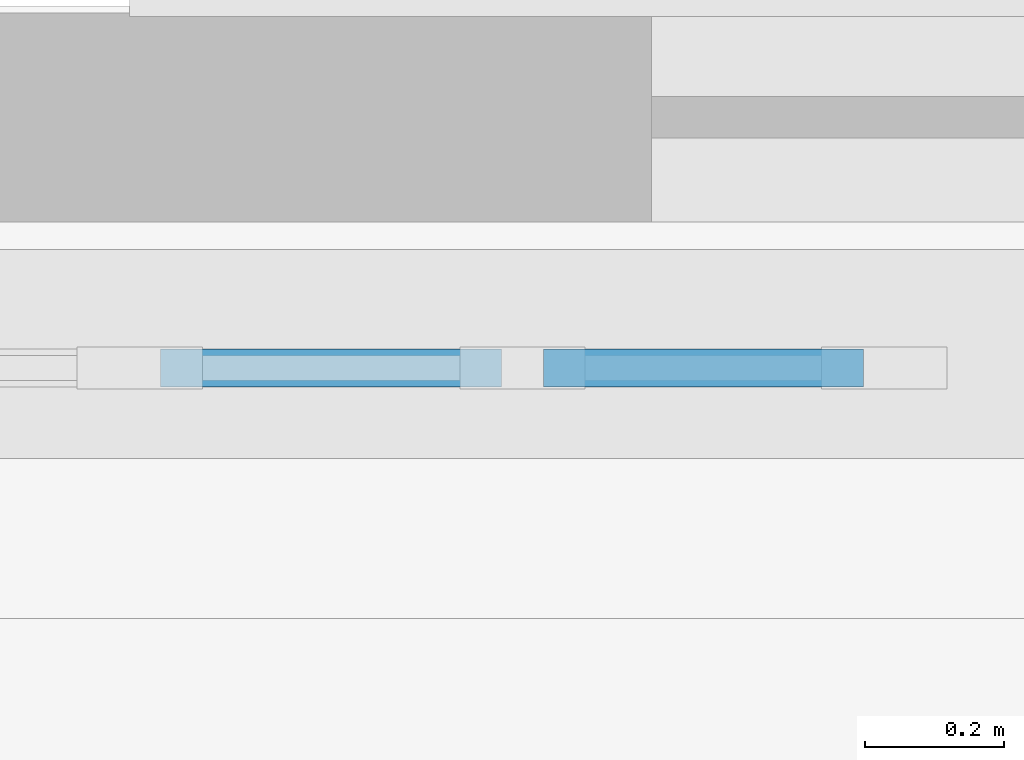
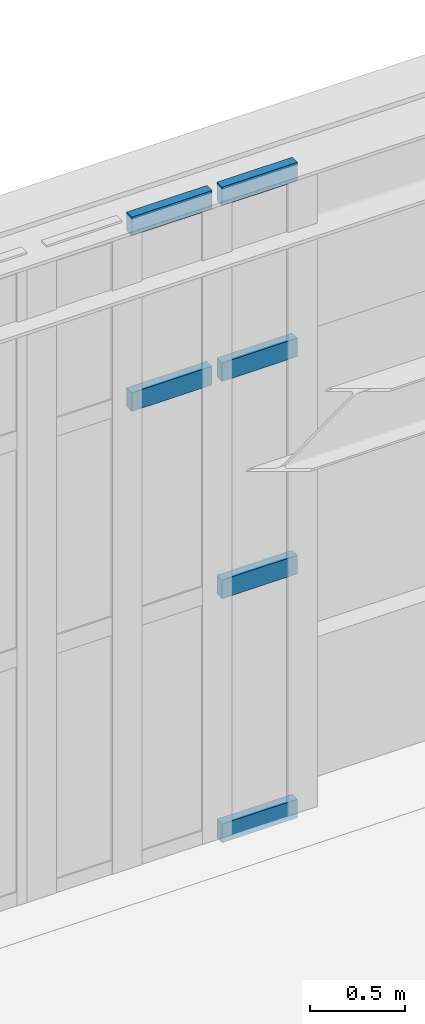
# One storey, part 46 of 91: 6 members, 1 element without a shape of its own.
"""IFC4 building model written with IfcOpenShell, lengths in metres."""

import ifcopenshell
import ifcopenshell.guid

model = None  # the IFC model being written
_history = None  # IfcOwnerHistory: only IFC2X3 demands one
_inside = {}  # id of a spatial element -> (the spatial element, [elements in it])
_under = {}  # id of a project, library or spatial element -> (it, [spatial elements below it])
_declared = {}  # id of a project -> (the project, [libraries it declares])
_typed = {}  # id of a type object -> (the type object, [elements of that type])
_made_of = {}  # id of a material, layer set ... -> (it, [elements and type objects made of it])


def new_model(schema):
    """Start an empty IFC model of exactly this schema.

    Asked for "IFC4X3", IfcOpenShell would pick the latest addendum, in which some entities
    have other attributes; the version numbers below select the first issue.
    IFC2X3 requires an IfcOwnerHistory on every rooted entity: one is made here for all.
    """
    global model, _history
    if schema == "IFC4X3":
        model = ifcopenshell.file(schema_version=(4, 3, 0, 0))
    else:
        model = ifcopenshell.file(schema=schema)
    _inside.clear()
    _under.clear()
    _declared.clear()
    _typed.clear()
    _made_of.clear()
    _history = None
    if model.schema == "IFC2X3":
        org = make("IfcOrganization", Name="unknown")
        user = make(
            "IfcPersonAndOrganization",
            ThePerson=make("IfcPerson", FamilyName="unknown"),
            TheOrganization=org,
        )
        app = make(
            "IfcApplication",
            ApplicationDeveloper=org,
            Version="unknown",
            ApplicationFullName="unknown",
            ApplicationIdentifier="unknown",
        )
        _history = make(
            "IfcOwnerHistory",
            OwningUser=user,
            OwningApplication=app,
            ChangeAction="ADDED",
            CreationDate=0,
        )
    return model


def make(cls, **values):
    """One entity of the class cls with the attributes given. An attribute that is None is left unset."""
    return model.create_entity(
        cls, **{name: value for name, value in values.items() if value is not None}
    )


def rooted(cls, **values):
    """An entity with a GlobalId (a new one), such as an element, a storey or a relation."""
    return make(cls, GlobalId=ifcopenshell.guid.new(), OwnerHistory=_history, **values)


def si_unit(unit_type, name, prefix=None):
    """IfcSIUnit, for example si_unit("LENGTHUNIT", "METRE", prefix="MILLI")."""
    return make("IfcSIUnit", UnitType=unit_type, Prefix=prefix, Name=name)


def assignment(units):
    """IfcUnitAssignment: the units of a project."""
    return None if units is None else make("IfcUnitAssignment", Units=units)


def point(xyz):
    """IfcCartesianPoint."""
    return None if xyz is None else make("IfcCartesianPoint", Coordinates=xyz)


def direction(xyz):
    """IfcDirection."""
    return None if xyz is None else make("IfcDirection", DirectionRatios=xyz)


def frame(location, z_axis=None, x_axis=None):
    """IfcAxis2Placement3D, a coordinate frame: its origin and axes. An axis left out is left unset."""
    return make(
        "IfcAxis2Placement3D",
        Location=point(location),
        Axis=direction(z_axis),
        RefDirection=direction(x_axis),
    )


def frame_2d(location, x_axis=None):
    """IfcAxis2Placement2D, a coordinate frame in the plane: its origin and x axis."""
    return make(
        "IfcAxis2Placement2D", Location=point(location), RefDirection=direction(x_axis)
    )


def origin():
    """The frame at (0, 0, 0) with its axes left unset."""
    return frame((0.0, 0.0, 0.0))


def origin_2d():
    """The frame at (0, 0) in the plane with its x axis left unset."""
    return frame_2d((0.0, 0.0))


def place(relative_to, where):
    """IfcLocalPlacement: puts the frame where relative to a parent placement (None: the world)."""
    return make(
        "IfcLocalPlacement", PlacementRelTo=relative_to, RelativePlacement=where
    )


def context(
    kind, dimensions, precision=None, world=None, true_north=None, identifier=None
):
    """IfcGeometricRepresentationContext, for example the 3D "Model" context."""
    return make(
        "IfcGeometricRepresentationContext",
        ContextIdentifier=identifier,
        ContextType=kind,
        CoordinateSpaceDimension=dimensions,
        Precision=precision,
        WorldCoordinateSystem=world,
        TrueNorth=true_north,
    )


def subcontext(parent, identifier, kind, view, scale=None):
    """IfcGeometricRepresentationSubContext, for example "Body" below "Model"."""
    return make(
        "IfcGeometricRepresentationSubContext",
        ContextIdentifier=identifier,
        ContextType=kind,
        ParentContext=parent,
        TargetScale=scale,
        TargetView=view,
    )


def project(units=None, contexts=None):
    """IfcProject with its units and contexts."""
    return rooted(
        "IfcProject",
        Name="project",
        RepresentationContexts=contexts,
        UnitsInContext=assignment(units),
    )


def spatial(cls, under=None, at=None, **own):
    """A site, building, storey or space (cls), placed at a placement, below another one or the project."""
    s = rooted(cls, ObjectPlacement=at, **own)
    if under is not None:
        _under.setdefault(under.id(), (under, []))[1].append(s)
    return s


def profile(cls, at=None, kind="AREA", **sizes):
    """A parametric profile (cls). Its sizes go by their IFC names, for example OverallWidth=200.0."""
    return make(cls, ProfileType=kind, Position=at, **sizes)


def rectangle(**sizes):
    """IfcRectangleProfileDef."""
    return profile("IfcRectangleProfileDef", **sizes)


def extrude(swept, where, along, depth):
    """IfcExtrudedAreaSolid: the profile swept, set in the frame where, extruded along a direction by depth."""
    return make(
        "IfcExtrudedAreaSolid",
        SweptArea=swept,
        Position=where,
        ExtrudedDirection=direction(along),
        Depth=depth,
    )


def shape(context_of_items, identifier, shape_type, items):
    """IfcShapeRepresentation: the items that make up one representation, for example the "Body"."""
    return make(
        "IfcShapeRepresentation",
        ContextOfItems=context_of_items,
        RepresentationIdentifier=identifier,
        RepresentationType=shape_type,
        Items=items,
    )


def material(Name=None, Category=None):
    """IfcMaterial."""
    return make("IfcMaterial", Name=Name, Category=Category)


def material_profile(
    of_material, cross_section, Name=None, Category=None, Priority=None
):
    """IfcMaterialProfile: a cross section and its material."""
    return make(
        "IfcMaterialProfile",
        Name=Name,
        Material=of_material,
        Profile=cross_section,
        Priority=Priority,
        Category=Category,
    )


def profile_set(profiles, Name=None, composite=None):
    """IfcMaterialProfileSet."""
    return make(
        "IfcMaterialProfileSet",
        Name=Name,
        MaterialProfiles=profiles,
        CompositeProfile=composite,
    )


def made_of(thing, what):
    """Note that an element or type object is made of a material, layer set ...; save() writes the relation."""
    if what is not None:
        _made_of.setdefault(what.id(), (what, []))[1].append(thing)
    return thing


def type_object(cls, material=None, **own):
    """A type object (cls), such as IfcWallType, which elements share."""
    return made_of(rooted(cls, **own), material)


def element(
    cls,
    number,
    at=None,
    inside=None,
    cuts=None,
    type_object=None,
    material=None,
    context=None,
    identifier="Body",
    shape_type=None,
    held_by="IfcProductDefinitionShape",
    body=None,
    shapes=None,
    **own,
):
    """One element of the class cls, such as IfcWall. Its Tag is "e" and its number.

    at: its placement. inside: the storey or other place that contains it. cuts: it is an
    opening in that element (IfcRelVoidsElement). A single representation is given by context,
    identifier, shape_type and body (its items); several are given by shapes. held_by: the class
    of the entity that holds the representations. save() writes the other relations.
    """
    e = rooted(cls, Tag="e%d" % number, ObjectPlacement=at, **own)
    if body is not None:
        shapes = [shape(context, identifier, shape_type, body)]
    if shapes is not None:
        e.Representation = make(held_by, Representations=shapes)
    if inside is not None:
        _inside.setdefault(inside.id(), (inside, []))[1].append(e)
    if cuts is not None:
        rooted(
            "IfcRelVoidsElement", RelatingBuildingElement=cuts, RelatedOpeningElement=e
        )
    if type_object is not None:
        _typed.setdefault(type_object.id(), (type_object, []))[1].append(e)
    return made_of(e, material)


def aggregate(whole, parts):
    """IfcRelAggregates: a whole, such as a stair, and the parts it consists of."""
    return rooted("IfcRelAggregates", RelatingObject=whole, RelatedObjects=parts)


def save(model, path):
    """Write the relations noted so far, then the file.

    IfcRelAggregates (storeys below a building ...), IfcRelContainedInSpatialStructure (elements
    in a storey), IfcRelDefinesByType, IfcRelAssociatesMaterial and IfcRelDeclares: one each for
    every whole, place, type object, material and project.
    """
    for whole, parts in _under.values():
        aggregate(whole, parts)
    for where, things in _inside.values():
        rooted(
            "IfcRelContainedInSpatialStructure",
            RelatedElements=things,
            RelatingStructure=where,
        )
    for kind, things in _typed.values():
        rooted("IfcRelDefinesByType", RelatedObjects=things, RelatingType=kind)
    for what, things in _made_of.values():
        rooted("IfcRelAssociatesMaterial", RelatedObjects=things, RelatingMaterial=what)
    for by, libraries in _declared.values():
        rooted("IfcRelDeclares", RelatingContext=by, RelatedDefinitions=libraries)
    model.write(path)


model = new_model("IFC4")

# Units and contexts
model_context = context("Model", 3, precision=1e-05, world=origin(), true_north=direction((0.0, 1.0)))
body_context = subcontext(model_context, "Body", "Model", "MODEL_VIEW")
ifc_project = project(units=[si_unit("LENGTHUNIT", "METRE"), si_unit("AREAUNIT", "SQUARE_METRE"), si_unit("VOLUMEUNIT", "CUBIC_METRE"), si_unit("PLANEANGLEUNIT", "RADIAN"), si_unit("MASSUNIT", "GRAM", prefix="KILO")], contexts=[model_context])

# Site, building, storey
site_placement = place(None, origin())
site = spatial("IfcSite", under=ifc_project, at=site_placement, CompositionType="ELEMENT")
building_placement = place(site_placement, origin())
building = spatial("IfcBuilding", under=site, at=building_placement, Name="Kolvaren Corner Interchange", CompositionType="ELEMENT")
storey_placement = place(building_placement, frame((0.0, 0.0, 6.0)))
storey = spatial("IfcBuildingStorey", under=building, at=storey_placement, Name="L02", CompositionType="ELEMENT", Elevation=6.0)

# Curtain wall, members
ifc_material_1 = material(Name="Unitised Aluminium and Solar-Control Glass Curtain Wall", Category="aluminium")
curtain_wall_type = type_object("IfcCurtainWallType", Name="CW-V3-MEZZ", PredefinedType="NOTDEFINED", material=ifc_material_1)
curtain_wall_placement = place(storey_placement, origin())
curtain_wall = element("IfcCurtainWall", 1, at=curtain_wall_placement, inside=storey, type_object=curtain_wall_type, Name="Cycle Mezzanine North Curtain Wall Bay 12", PredefinedType="NOTDEFINED")
ifc_material_2 = material(Name="Anodised Aluminium Framing", Category="aluminium")
ifc_material_profile = material_profile(ifc_material_2, rectangle(XDim=0.054931640625, YDim=0.1201171875, at=origin_2d()), Name="ALU 55x120")
ifc_profile_set = profile_set([ifc_material_profile], Name="Anodised Aluminium Framing")
member_type = type_object("IfcMemberType", Name="TRN-ALU55x120", PredefinedType="USERDEFINED", material=ifc_profile_set)
member_1_placement = place(storey_placement, frame((110.72998046875, 113.47998046875, 3.0), z_axis=(1.0, 0.0, 0.0), x_axis=(0.0, 1.0, 0.0)))
member_1 = element("IfcMember", 2, at=member_1_placement, type_object=member_type, Name="CW-125 transom 2.3", ObjectType="TRANSOM", PredefinedType="USERDEFINED", context=body_context, shape_type="SweptSolid", body=[
    extrude(rectangle(XDim=0.054931640625, YDim=0.1201171875, at=origin_2d()), origin(), (0.0, 0.0, 1.0), 0.489990234375),
])
member_2_placement = place(storey_placement, frame((110.72998046875, 113.47998046875, 4.132568359375), z_axis=(1.0, 0.0, 0.0), x_axis=(0.0, 1.0, 0.0)))
member_2 = element("IfcMember", 3, at=member_2_placement, type_object=member_type, Name="CW-125 transom 2.4", ObjectType="TRANSOM", PredefinedType="USERDEFINED", context=body_context, shape_type="SweptSolid", body=[
    extrude(rectangle(XDim=0.054931640625, YDim=0.1201171875, at=origin_2d()), origin(), (0.0, 0.0, 1.0), 0.489990234375),
])
member_3_placement = place(storey_placement, frame((111.280029296875, 113.47998046875, 0.027587890625), z_axis=(1.0, 0.0, 0.0), x_axis=(0.0, 1.0, 0.0)))
member_3 = element("IfcMember", 4, at=member_3_placement, type_object=member_type, Name="CW-125 transom 3.1", ObjectType="TRANSOM", PredefinedType="USERDEFINED", context=body_context, shape_type="SweptSolid", body=[
    extrude(rectangle(XDim=0.054931640625, YDim=0.1201171875, at=origin_2d()), origin(), (0.0, 0.0, 1.0), 0.4599609375),
])
member_4_placement = place(storey_placement, frame((111.280029296875, 113.47998046875, 1.60009765625), z_axis=(1.0, 0.0, 0.0), x_axis=(0.0, 1.0, 0.0)))
member_4 = element("IfcMember", 5, at=member_4_placement, type_object=member_type, Name="CW-125 transom 3.2", ObjectType="TRANSOM", PredefinedType="USERDEFINED", context=body_context, shape_type="SweptSolid", body=[
    extrude(rectangle(XDim=0.054931640625, YDim=0.1201171875, at=origin_2d()), origin(), (0.0, 0.0, 1.0), 0.4599609375),
])
member_5_placement = place(storey_placement, frame((111.280029296875, 113.47998046875, 3.0), z_axis=(1.0, 0.0, 0.0), x_axis=(0.0, 1.0, 0.0)))
member_5 = element("IfcMember", 6, at=member_5_placement, type_object=member_type, Name="CW-125 transom 3.3", ObjectType="TRANSOM", PredefinedType="USERDEFINED", context=body_context, shape_type="SweptSolid", body=[
    extrude(rectangle(XDim=0.054931640625, YDim=0.1201171875, at=origin_2d()), origin(), (0.0, 0.0, 1.0), 0.4599609375),
])
member_6_placement = place(storey_placement, frame((111.280029296875, 113.47998046875, 4.132568359375), z_axis=(1.0, 0.0, 0.0), x_axis=(0.0, 1.0, 0.0)))
member_6 = element("IfcMember", 7, at=member_6_placement, type_object=member_type, Name="CW-125 transom 3.4", ObjectType="TRANSOM", PredefinedType="USERDEFINED", context=body_context, shape_type="SweptSolid", body=[
    extrude(rectangle(XDim=0.054931640625, YDim=0.1201171875, at=origin_2d()), origin(), (0.0, 0.0, 1.0), 0.4599609375),
])
aggregate(curtain_wall, [member_1, member_2, member_3, member_4, member_5, member_6])

save(model, "model.ifc")
